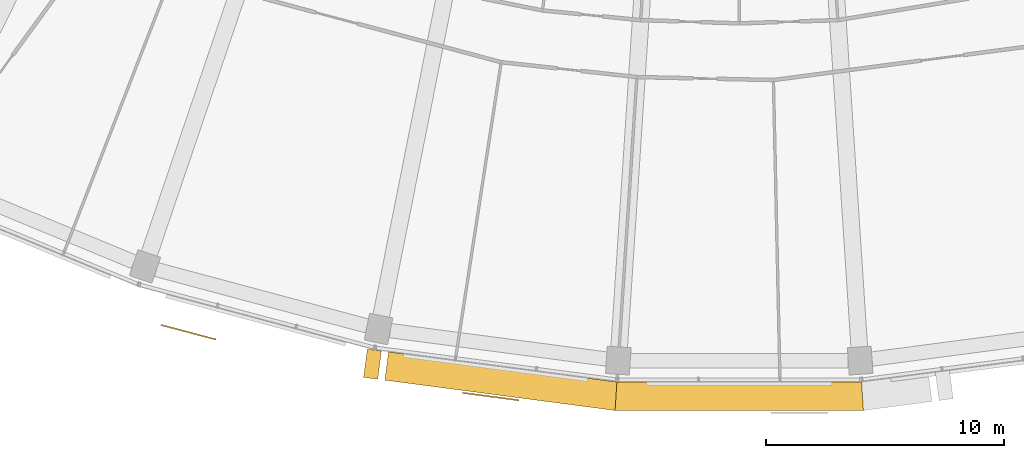
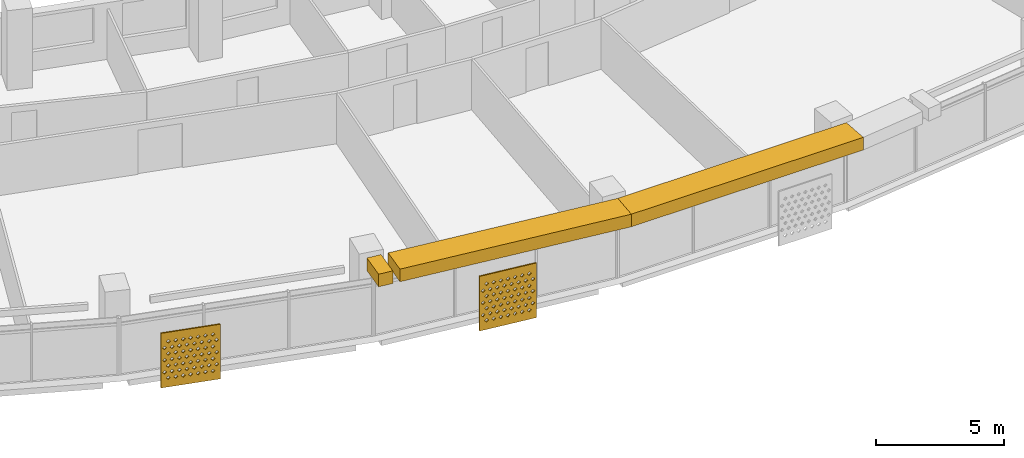
# One storey, part 25 of 29: 5 shading devices.
"""IFC4 building model written with IfcOpenShell, lengths in metres."""

from ifc_helpers import new_model, si_unit, direction, frame, origin, place, context, subcontext, project, spatial, polyline, outline, extrude, material, material_profile, profile_set, type_object, element, save


model = new_model("IFC4")

# Units and contexts
model_context = context("Model", 3, precision=1e-05, world=origin(), true_north=direction((0.0, 1.0)))
body_context = subcontext(model_context, "Body", "Model", "MODEL_VIEW")
ifc_project = project(units=[si_unit("LENGTHUNIT", "METRE"), si_unit("AREAUNIT", "SQUARE_METRE"), si_unit("VOLUMEUNIT", "CUBIC_METRE"), si_unit("PLANEANGLEUNIT", "RADIAN"), si_unit("MASSUNIT", "GRAM", prefix="KILO")], contexts=[model_context])

# Site, building, storey
site_placement = place(None, origin())
site = spatial("IfcSite", under=ifc_project, at=site_placement, CompositionType="ELEMENT")
building_placement = place(site_placement, origin())
building = spatial("IfcBuilding", under=site, at=building_placement, Name="Qamariyya Broadcast Tower", CompositionType="ELEMENT")
storey_placement = place(building_placement, frame((0.0, 0.0, 207.5)))
storey = spatial("IfcBuildingStorey", under=building, at=storey_placement, Name="L49", CompositionType="ELEMENT", Elevation=207.5)

# Shading devices
ifc_material_1 = material(Name="Steel S355 powder coated deep red", Category="steel")
shading_device_type_1 = type_object("IfcShadingDeviceType", Name="Deep red frame, powder coated steel box section", PredefinedType="USERDEFINED", material=ifc_material_1)
shading_device_1_placement = place(storey_placement, frame((0.0, 0.0, 3.199951171875)))
element("IfcShadingDevice", 1, at=shading_device_1_placement, inside=storey, type_object=shading_device_type_1, Name="e-frm-B4-F2-posta-L49", ObjectType="FRAME", PredefinedType="USERDEFINED", context=body_context, shape_type="SweptSolid", body=[
    extrude(outline(polyline([(-15.641357421875, -77.099609375), (-15.7978515625, -78.289306640625), (-15.203125, -78.36767578125), (-15.04638671875, -77.177978515625), (-15.641357421875, -77.099609375)])), origin(), (0.0, 0.0, 1.0), 0.60009765625),
])
shading_device_2_placement = place(storey_placement, frame((0.0, 0.0, 3.199951171875)))
element("IfcShadingDevice", 2, at=shading_device_2_placement, inside=storey, type_object=shading_device_type_1, Name="e-frm-B4-F2-bot0", ObjectType="FRAME", PredefinedType="USERDEFINED", context=body_context, shape_type="SweptSolid", body=[
    extrude(outline(polyline([(-14.7490234375, -77.217041015625), (-14.905517578125, -78.40673828125), (-5.22265625, -79.681640625), (-5.14404296875, -78.481689453125), (-14.7490234375, -77.217041015625)])), origin(), (0.0, 0.0, 1.0), 0.60009765625),
])
shading_device_3_placement = place(storey_placement, frame((0.0, 0.0, 3.199951171875)))
element("IfcShadingDevice", 3, at=shading_device_3_placement, inside=storey, type_object=shading_device_type_1, Name="e-frm-B4-F2-bot1", ObjectType="FRAME", PredefinedType="USERDEFINED", context=body_context, shape_type="SweptSolid", body=[
    extrude(outline(polyline([(-5.14404296875, -78.481689453125), (-5.22265625, -79.681640625), (5.22265625, -79.681640625), (5.14404296875, -78.481689453125), (-5.14404296875, -78.481689453125)])), origin(), (0.0, 0.0, 1.0), 0.60009765625),
])
ifc_material_2 = material(Name="Perforated glazed terracotta", Category="masonry")
ifc_material_profile = material_profile(ifc_material_2, outline(polyline([(-1.199951171875, -1.300048828125), (1.199951171875, -1.300048828125), (1.199951171875, 1.300048828125), (-1.199951171875, 1.300048828125), (-1.199951171875, -1.300048828125)]), holes=[polyline([(-0.81494140625, -0.86669921875), (-0.89990234375, -0.78173828125), (-0.985107421875, -0.86669921875), (-0.89990234375, -0.95166015625), (-0.81494140625, -0.86669921875)]), polyline([(-0.514892578125, -0.86669921875), (-0.60009765625, -0.78173828125), (-0.68505859375, -0.86669921875), (-0.60009765625, -0.95166015625), (-0.514892578125, -0.86669921875)]), polyline([(-0.215087890625, -0.86669921875), (-0.300048828125, -0.78173828125), (-0.385009765625, -0.86669921875), (-0.300048828125, -0.95166015625), (-0.215087890625, -0.86669921875)]), polyline([(0.0849609375, -0.86669921875), (0.0, -0.78173828125), (-0.0849609375, -0.86669921875), (0.0, -0.95166015625), (0.0849609375, -0.86669921875)]), polyline([(0.385009765625, -0.86669921875), (0.300048828125, -0.78173828125), (0.215087890625, -0.86669921875), (0.300048828125, -0.95166015625), (0.385009765625, -0.86669921875)]), polyline([(0.68505859375, -0.86669921875), (0.60009765625, -0.78173828125), (0.514892578125, -0.86669921875), (0.60009765625, -0.95166015625), (0.68505859375, -0.86669921875)]), polyline([(0.985107421875, -0.86669921875), (0.89990234375, -0.78173828125), (0.81494140625, -0.86669921875), (0.89990234375, -0.95166015625), (0.985107421875, -0.86669921875)]), polyline([(-0.965087890625, -0.577880859375), (-1.050048828125, -0.49267578125), (-1.135009765625, -0.577880859375), (-1.050048828125, -0.662841796875), (-0.965087890625, -0.577880859375)]), polyline([(-0.6650390625, -0.577880859375), (-0.75, -0.49267578125), (-0.8349609375, -0.577880859375), (-0.75, -0.662841796875), (-0.6650390625, -0.577880859375)]), polyline([(-0.364990234375, -0.577880859375), (-0.449951171875, -0.49267578125), (-0.534912109375, -0.577880859375), (-0.449951171875, -0.662841796875), (-0.364990234375, -0.577880859375)]), polyline([(-0.06494140625, -0.577880859375), (-0.14990234375, -0.49267578125), (-0.235107421875, -0.577880859375), (-0.14990234375, -0.662841796875), (-0.06494140625, -0.577880859375)]), polyline([(0.235107421875, -0.577880859375), (0.14990234375, -0.49267578125), (0.06494140625, -0.577880859375), (0.14990234375, -0.662841796875), (0.235107421875, -0.577880859375)]), polyline([(0.534912109375, -0.577880859375), (0.449951171875, -0.49267578125), (0.364990234375, -0.577880859375), (0.449951171875, -0.662841796875), (0.534912109375, -0.577880859375)]), polyline([(0.8349609375, -0.577880859375), (0.75, -0.49267578125), (0.6650390625, -0.577880859375), (0.75, -0.662841796875), (0.8349609375, -0.577880859375)]), polyline([(1.135009765625, -0.577880859375), (1.050048828125, -0.49267578125), (0.965087890625, -0.577880859375), (1.050048828125, -0.662841796875), (1.135009765625, -0.577880859375)]), polyline([(-0.81494140625, -0.288818359375), (-0.89990234375, -0.203857421875), (-0.985107421875, -0.288818359375), (-0.89990234375, -0.373779296875), (-0.81494140625, -0.288818359375)]), polyline([(-0.514892578125, -0.288818359375), (-0.60009765625, -0.203857421875), (-0.68505859375, -0.288818359375), (-0.60009765625, -0.373779296875), (-0.514892578125, -0.288818359375)]), polyline([(-0.215087890625, -0.288818359375), (-0.300048828125, -0.203857421875), (-0.385009765625, -0.288818359375), (-0.300048828125, -0.373779296875), (-0.215087890625, -0.288818359375)]), polyline([(0.0849609375, -0.288818359375), (0.0, -0.203857421875), (-0.0849609375, -0.288818359375), (0.0, -0.373779296875), (0.0849609375, -0.288818359375)]), polyline([(0.385009765625, -0.288818359375), (0.300048828125, -0.203857421875), (0.215087890625, -0.288818359375), (0.300048828125, -0.373779296875), (0.385009765625, -0.288818359375)]), polyline([(0.68505859375, -0.288818359375), (0.60009765625, -0.203857421875), (0.514892578125, -0.288818359375), (0.60009765625, -0.373779296875), (0.68505859375, -0.288818359375)]), polyline([(0.985107421875, -0.288818359375), (0.89990234375, -0.203857421875), (0.81494140625, -0.288818359375), (0.89990234375, -0.373779296875), (0.985107421875, -0.288818359375)]), polyline([(-0.965087890625, 0.0), (-1.050048828125, 0.0849609375), (-1.135009765625, 0.0), (-1.050048828125, -0.0849609375), (-0.965087890625, 0.0)]), polyline([(-0.6650390625, 0.0), (-0.75, 0.0849609375), (-0.8349609375, 0.0), (-0.75, -0.0849609375), (-0.6650390625, 0.0)]), polyline([(-0.364990234375, 0.0), (-0.449951171875, 0.0849609375), (-0.534912109375, 0.0), (-0.449951171875, -0.0849609375), (-0.364990234375, 0.0)]), polyline([(-0.06494140625, 0.0), (-0.14990234375, 0.0849609375), (-0.235107421875, 0.0), (-0.14990234375, -0.0849609375), (-0.06494140625, 0.0)]), polyline([(0.235107421875, 0.0), (0.14990234375, 0.0849609375), (0.06494140625, 0.0), (0.14990234375, -0.0849609375), (0.235107421875, 0.0)]), polyline([(0.534912109375, 0.0), (0.449951171875, 0.0849609375), (0.364990234375, 0.0), (0.449951171875, -0.0849609375), (0.534912109375, 0.0)]), polyline([(0.8349609375, 0.0), (0.75, 0.0849609375), (0.6650390625, 0.0), (0.75, -0.0849609375), (0.8349609375, 0.0)]), polyline([(1.135009765625, 0.0), (1.050048828125, 0.0849609375), (0.965087890625, 0.0), (1.050048828125, -0.0849609375), (1.135009765625, 0.0)]), polyline([(-0.81494140625, 0.288818359375), (-0.89990234375, 0.373779296875), (-0.985107421875, 0.288818359375), (-0.89990234375, 0.203857421875), (-0.81494140625, 0.288818359375)]), polyline([(-0.514892578125, 0.288818359375), (-0.60009765625, 0.373779296875), (-0.68505859375, 0.288818359375), (-0.60009765625, 0.203857421875), (-0.514892578125, 0.288818359375)]), polyline([(-0.215087890625, 0.288818359375), (-0.300048828125, 0.373779296875), (-0.385009765625, 0.288818359375), (-0.300048828125, 0.203857421875), (-0.215087890625, 0.288818359375)]), polyline([(0.0849609375, 0.288818359375), (0.0, 0.373779296875), (-0.0849609375, 0.288818359375), (0.0, 0.203857421875), (0.0849609375, 0.288818359375)]), polyline([(0.385009765625, 0.288818359375), (0.300048828125, 0.373779296875), (0.215087890625, 0.288818359375), (0.300048828125, 0.203857421875), (0.385009765625, 0.288818359375)]), polyline([(0.68505859375, 0.288818359375), (0.60009765625, 0.373779296875), (0.514892578125, 0.288818359375), (0.60009765625, 0.203857421875), (0.68505859375, 0.288818359375)]), polyline([(0.985107421875, 0.288818359375), (0.89990234375, 0.373779296875), (0.81494140625, 0.288818359375), (0.89990234375, 0.203857421875), (0.985107421875, 0.288818359375)]), polyline([(-0.965087890625, 0.577880859375), (-1.050048828125, 0.662841796875), (-1.135009765625, 0.577880859375), (-1.050048828125, 0.49267578125), (-0.965087890625, 0.577880859375)]), polyline([(-0.6650390625, 0.577880859375), (-0.75, 0.662841796875), (-0.8349609375, 0.577880859375), (-0.75, 0.49267578125), (-0.6650390625, 0.577880859375)]), polyline([(-0.364990234375, 0.577880859375), (-0.449951171875, 0.662841796875), (-0.534912109375, 0.577880859375), (-0.449951171875, 0.49267578125), (-0.364990234375, 0.577880859375)]), polyline([(-0.06494140625, 0.577880859375), (-0.14990234375, 0.662841796875), (-0.235107421875, 0.577880859375), (-0.14990234375, 0.49267578125), (-0.06494140625, 0.577880859375)]), polyline([(0.235107421875, 0.577880859375), (0.14990234375, 0.662841796875), (0.06494140625, 0.577880859375), (0.14990234375, 0.49267578125), (0.235107421875, 0.577880859375)]), polyline([(0.534912109375, 0.577880859375), (0.449951171875, 0.662841796875), (0.364990234375, 0.577880859375), (0.449951171875, 0.49267578125), (0.534912109375, 0.577880859375)]), polyline([(0.8349609375, 0.577880859375), (0.75, 0.662841796875), (0.6650390625, 0.577880859375), (0.75, 0.49267578125), (0.8349609375, 0.577880859375)]), polyline([(1.135009765625, 0.577880859375), (1.050048828125, 0.662841796875), (0.965087890625, 0.577880859375), (1.050048828125, 0.49267578125), (1.135009765625, 0.577880859375)]), polyline([(-0.81494140625, 0.86669921875), (-0.89990234375, 0.95166015625), (-0.985107421875, 0.86669921875), (-0.89990234375, 0.78173828125), (-0.81494140625, 0.86669921875)]), polyline([(-0.514892578125, 0.86669921875), (-0.60009765625, 0.95166015625), (-0.68505859375, 0.86669921875), (-0.60009765625, 0.78173828125), (-0.514892578125, 0.86669921875)]), polyline([(-0.215087890625, 0.86669921875), (-0.300048828125, 0.95166015625), (-0.385009765625, 0.86669921875), (-0.300048828125, 0.78173828125), (-0.215087890625, 0.86669921875)]), polyline([(0.0849609375, 0.86669921875), (0.0, 0.95166015625), (-0.0849609375, 0.86669921875), (0.0, 0.78173828125), (0.0849609375, 0.86669921875)]), polyline([(0.385009765625, 0.86669921875), (0.300048828125, 0.95166015625), (0.215087890625, 0.86669921875), (0.300048828125, 0.78173828125), (0.385009765625, 0.86669921875)]), polyline([(0.68505859375, 0.86669921875), (0.60009765625, 0.95166015625), (0.514892578125, 0.86669921875), (0.60009765625, 0.78173828125), (0.68505859375, 0.86669921875)]), polyline([(0.985107421875, 0.86669921875), (0.89990234375, 0.95166015625), (0.81494140625, 0.86669921875), (0.89990234375, 0.78173828125), (0.985107421875, 0.86669921875)])]))
ifc_profile_set = profile_set([ifc_material_profile], Name="Perforated glazed terracotta")
shading_device_type_2 = type_object("IfcShadingDeviceType", Name="Perforated terracotta screen 2400 x 2600", PredefinedType="USERDEFINED", material=ifc_profile_set)
shading_device_4_placement = place(storey_placement, frame((-23.160400390625, -76.359130859375, 1.35009765625), z_axis=(-0.256901156343, -0.966437683387, 0.0), x_axis=(0.966437683387, -0.256901156343, 0.0)))
element("IfcShadingDevice", 4, at=shading_device_4_placement, inside=storey, type_object=shading_device_type_2, Name="e-scr-L49-06-0", ObjectType="SCREEN", PredefinedType="USERDEFINED", context=body_context, shape_type="SweptSolid", body=[
    extrude(outline(polyline([(-1.199951171875, -1.300048828125), (1.199951171875, -1.300048828125), (1.199951171875, 1.300048828125), (-1.199951171875, 1.300048828125), (-1.199951171875, -1.300048828125)]), holes=[polyline([(-0.81494140625, -0.86669921875), (-0.89990234375, -0.78173828125), (-0.985107421875, -0.86669921875), (-0.89990234375, -0.95166015625), (-0.81494140625, -0.86669921875)]), polyline([(-0.514892578125, -0.86669921875), (-0.60009765625, -0.78173828125), (-0.68505859375, -0.86669921875), (-0.60009765625, -0.95166015625), (-0.514892578125, -0.86669921875)]), polyline([(-0.215087890625, -0.86669921875), (-0.300048828125, -0.78173828125), (-0.385009765625, -0.86669921875), (-0.300048828125, -0.95166015625), (-0.215087890625, -0.86669921875)]), polyline([(0.0849609375, -0.86669921875), (0.0, -0.78173828125), (-0.0849609375, -0.86669921875), (0.0, -0.95166015625), (0.0849609375, -0.86669921875)]), polyline([(0.385009765625, -0.86669921875), (0.300048828125, -0.78173828125), (0.215087890625, -0.86669921875), (0.300048828125, -0.95166015625), (0.385009765625, -0.86669921875)]), polyline([(0.68505859375, -0.86669921875), (0.60009765625, -0.78173828125), (0.514892578125, -0.86669921875), (0.60009765625, -0.95166015625), (0.68505859375, -0.86669921875)]), polyline([(0.985107421875, -0.86669921875), (0.89990234375, -0.78173828125), (0.81494140625, -0.86669921875), (0.89990234375, -0.95166015625), (0.985107421875, -0.86669921875)]), polyline([(-0.965087890625, -0.577880859375), (-1.050048828125, -0.49267578125), (-1.135009765625, -0.577880859375), (-1.050048828125, -0.662841796875), (-0.965087890625, -0.577880859375)]), polyline([(-0.6650390625, -0.577880859375), (-0.75, -0.49267578125), (-0.8349609375, -0.577880859375), (-0.75, -0.662841796875), (-0.6650390625, -0.577880859375)]), polyline([(-0.364990234375, -0.577880859375), (-0.449951171875, -0.49267578125), (-0.534912109375, -0.577880859375), (-0.449951171875, -0.662841796875), (-0.364990234375, -0.577880859375)]), polyline([(-0.06494140625, -0.577880859375), (-0.14990234375, -0.49267578125), (-0.235107421875, -0.577880859375), (-0.14990234375, -0.662841796875), (-0.06494140625, -0.577880859375)]), polyline([(0.235107421875, -0.577880859375), (0.14990234375, -0.49267578125), (0.06494140625, -0.577880859375), (0.14990234375, -0.662841796875), (0.235107421875, -0.577880859375)]), polyline([(0.534912109375, -0.577880859375), (0.449951171875, -0.49267578125), (0.364990234375, -0.577880859375), (0.449951171875, -0.662841796875), (0.534912109375, -0.577880859375)]), polyline([(0.8349609375, -0.577880859375), (0.75, -0.49267578125), (0.6650390625, -0.577880859375), (0.75, -0.662841796875), (0.8349609375, -0.577880859375)]), polyline([(1.135009765625, -0.577880859375), (1.050048828125, -0.49267578125), (0.965087890625, -0.577880859375), (1.050048828125, -0.662841796875), (1.135009765625, -0.577880859375)]), polyline([(-0.81494140625, -0.288818359375), (-0.89990234375, -0.203857421875), (-0.985107421875, -0.288818359375), (-0.89990234375, -0.373779296875), (-0.81494140625, -0.288818359375)]), polyline([(-0.514892578125, -0.288818359375), (-0.60009765625, -0.203857421875), (-0.68505859375, -0.288818359375), (-0.60009765625, -0.373779296875), (-0.514892578125, -0.288818359375)]), polyline([(-0.215087890625, -0.288818359375), (-0.300048828125, -0.203857421875), (-0.385009765625, -0.288818359375), (-0.300048828125, -0.373779296875), (-0.215087890625, -0.288818359375)]), polyline([(0.0849609375, -0.288818359375), (0.0, -0.203857421875), (-0.0849609375, -0.288818359375), (0.0, -0.373779296875), (0.0849609375, -0.288818359375)]), polyline([(0.385009765625, -0.288818359375), (0.300048828125, -0.203857421875), (0.215087890625, -0.288818359375), (0.300048828125, -0.373779296875), (0.385009765625, -0.288818359375)]), polyline([(0.68505859375, -0.288818359375), (0.60009765625, -0.203857421875), (0.514892578125, -0.288818359375), (0.60009765625, -0.373779296875), (0.68505859375, -0.288818359375)]), polyline([(0.985107421875, -0.288818359375), (0.89990234375, -0.203857421875), (0.81494140625, -0.288818359375), (0.89990234375, -0.373779296875), (0.985107421875, -0.288818359375)]), polyline([(-0.965087890625, 0.0), (-1.050048828125, 0.0849609375), (-1.135009765625, 0.0), (-1.050048828125, -0.0849609375), (-0.965087890625, 0.0)]), polyline([(-0.6650390625, 0.0), (-0.75, 0.0849609375), (-0.8349609375, 0.0), (-0.75, -0.0849609375), (-0.6650390625, 0.0)]), polyline([(-0.364990234375, 0.0), (-0.449951171875, 0.0849609375), (-0.534912109375, 0.0), (-0.449951171875, -0.0849609375), (-0.364990234375, 0.0)]), polyline([(-0.06494140625, 0.0), (-0.14990234375, 0.0849609375), (-0.235107421875, 0.0), (-0.14990234375, -0.0849609375), (-0.06494140625, 0.0)]), polyline([(0.235107421875, 0.0), (0.14990234375, 0.0849609375), (0.06494140625, 0.0), (0.14990234375, -0.0849609375), (0.235107421875, 0.0)]), polyline([(0.534912109375, 0.0), (0.449951171875, 0.0849609375), (0.364990234375, 0.0), (0.449951171875, -0.0849609375), (0.534912109375, 0.0)]), polyline([(0.8349609375, 0.0), (0.75, 0.0849609375), (0.6650390625, 0.0), (0.75, -0.0849609375), (0.8349609375, 0.0)]), polyline([(1.135009765625, 0.0), (1.050048828125, 0.0849609375), (0.965087890625, 0.0), (1.050048828125, -0.0849609375), (1.135009765625, 0.0)]), polyline([(-0.81494140625, 0.288818359375), (-0.89990234375, 0.373779296875), (-0.985107421875, 0.288818359375), (-0.89990234375, 0.203857421875), (-0.81494140625, 0.288818359375)]), polyline([(-0.514892578125, 0.288818359375), (-0.60009765625, 0.373779296875), (-0.68505859375, 0.288818359375), (-0.60009765625, 0.203857421875), (-0.514892578125, 0.288818359375)]), polyline([(-0.215087890625, 0.288818359375), (-0.300048828125, 0.373779296875), (-0.385009765625, 0.288818359375), (-0.300048828125, 0.203857421875), (-0.215087890625, 0.288818359375)]), polyline([(0.0849609375, 0.288818359375), (0.0, 0.373779296875), (-0.0849609375, 0.288818359375), (0.0, 0.203857421875), (0.0849609375, 0.288818359375)]), polyline([(0.385009765625, 0.288818359375), (0.300048828125, 0.373779296875), (0.215087890625, 0.288818359375), (0.300048828125, 0.203857421875), (0.385009765625, 0.288818359375)]), polyline([(0.68505859375, 0.288818359375), (0.60009765625, 0.373779296875), (0.514892578125, 0.288818359375), (0.60009765625, 0.203857421875), (0.68505859375, 0.288818359375)]), polyline([(0.985107421875, 0.288818359375), (0.89990234375, 0.373779296875), (0.81494140625, 0.288818359375), (0.89990234375, 0.203857421875), (0.985107421875, 0.288818359375)]), polyline([(-0.965087890625, 0.577880859375), (-1.050048828125, 0.662841796875), (-1.135009765625, 0.577880859375), (-1.050048828125, 0.49267578125), (-0.965087890625, 0.577880859375)]), polyline([(-0.6650390625, 0.577880859375), (-0.75, 0.662841796875), (-0.8349609375, 0.577880859375), (-0.75, 0.49267578125), (-0.6650390625, 0.577880859375)]), polyline([(-0.364990234375, 0.577880859375), (-0.449951171875, 0.662841796875), (-0.534912109375, 0.577880859375), (-0.449951171875, 0.49267578125), (-0.364990234375, 0.577880859375)]), polyline([(-0.06494140625, 0.577880859375), (-0.14990234375, 0.662841796875), (-0.235107421875, 0.577880859375), (-0.14990234375, 0.49267578125), (-0.06494140625, 0.577880859375)]), polyline([(0.235107421875, 0.577880859375), (0.14990234375, 0.662841796875), (0.06494140625, 0.577880859375), (0.14990234375, 0.49267578125), (0.235107421875, 0.577880859375)]), polyline([(0.534912109375, 0.577880859375), (0.449951171875, 0.662841796875), (0.364990234375, 0.577880859375), (0.449951171875, 0.49267578125), (0.534912109375, 0.577880859375)]), polyline([(0.8349609375, 0.577880859375), (0.75, 0.662841796875), (0.6650390625, 0.577880859375), (0.75, 0.49267578125), (0.8349609375, 0.577880859375)]), polyline([(1.135009765625, 0.577880859375), (1.050048828125, 0.662841796875), (0.965087890625, 0.577880859375), (1.050048828125, 0.49267578125), (1.135009765625, 0.577880859375)]), polyline([(-0.81494140625, 0.86669921875), (-0.89990234375, 0.95166015625), (-0.985107421875, 0.86669921875), (-0.89990234375, 0.78173828125), (-0.81494140625, 0.86669921875)]), polyline([(-0.514892578125, 0.86669921875), (-0.60009765625, 0.95166015625), (-0.68505859375, 0.86669921875), (-0.60009765625, 0.78173828125), (-0.514892578125, 0.86669921875)]), polyline([(-0.215087890625, 0.86669921875), (-0.300048828125, 0.95166015625), (-0.385009765625, 0.86669921875), (-0.300048828125, 0.78173828125), (-0.215087890625, 0.86669921875)]), polyline([(0.0849609375, 0.86669921875), (0.0, 0.95166015625), (-0.0849609375, 0.86669921875), (0.0, 0.78173828125), (0.0849609375, 0.86669921875)]), polyline([(0.385009765625, 0.86669921875), (0.300048828125, 0.95166015625), (0.215087890625, 0.86669921875), (0.300048828125, 0.78173828125), (0.385009765625, 0.86669921875)]), polyline([(0.68505859375, 0.86669921875), (0.60009765625, 0.95166015625), (0.514892578125, 0.86669921875), (0.60009765625, 0.78173828125), (0.68505859375, 0.86669921875)]), polyline([(0.985107421875, 0.86669921875), (0.89990234375, 0.95166015625), (0.81494140625, 0.86669921875), (0.89990234375, 0.78173828125), (0.985107421875, 0.86669921875)])]), origin(), (0.0, 0.0, 1.0), 0.059814453125),
])
shading_device_5_placement = place(storey_placement, frame((-10.4453125, -79.064697265625, 1.35009765625), z_axis=(-0.13056005306, -0.991440402921, 0.0), x_axis=(0.991440402921, -0.13056005306, 0.0)))
element("IfcShadingDevice", 5, at=shading_device_5_placement, inside=storey, type_object=shading_device_type_2, Name="e-scr-L49-07-1", ObjectType="SCREEN", PredefinedType="USERDEFINED", context=body_context, shape_type="SweptSolid", body=[
    extrude(outline(polyline([(-1.199951171875, -1.300048828125), (1.199951171875, -1.300048828125), (1.199951171875, 1.300048828125), (-1.199951171875, 1.300048828125), (-1.199951171875, -1.300048828125)]), holes=[polyline([(-0.81494140625, -0.86669921875), (-0.89990234375, -0.78173828125), (-0.985107421875, -0.86669921875), (-0.89990234375, -0.95166015625), (-0.81494140625, -0.86669921875)]), polyline([(-0.514892578125, -0.86669921875), (-0.60009765625, -0.78173828125), (-0.68505859375, -0.86669921875), (-0.60009765625, -0.95166015625), (-0.514892578125, -0.86669921875)]), polyline([(-0.215087890625, -0.86669921875), (-0.300048828125, -0.78173828125), (-0.385009765625, -0.86669921875), (-0.300048828125, -0.95166015625), (-0.215087890625, -0.86669921875)]), polyline([(0.0849609375, -0.86669921875), (0.0, -0.78173828125), (-0.0849609375, -0.86669921875), (0.0, -0.95166015625), (0.0849609375, -0.86669921875)]), polyline([(0.385009765625, -0.86669921875), (0.300048828125, -0.78173828125), (0.215087890625, -0.86669921875), (0.300048828125, -0.95166015625), (0.385009765625, -0.86669921875)]), polyline([(0.68505859375, -0.86669921875), (0.60009765625, -0.78173828125), (0.514892578125, -0.86669921875), (0.60009765625, -0.95166015625), (0.68505859375, -0.86669921875)]), polyline([(0.985107421875, -0.86669921875), (0.89990234375, -0.78173828125), (0.81494140625, -0.86669921875), (0.89990234375, -0.95166015625), (0.985107421875, -0.86669921875)]), polyline([(-0.965087890625, -0.577880859375), (-1.050048828125, -0.49267578125), (-1.135009765625, -0.577880859375), (-1.050048828125, -0.662841796875), (-0.965087890625, -0.577880859375)]), polyline([(-0.6650390625, -0.577880859375), (-0.75, -0.49267578125), (-0.8349609375, -0.577880859375), (-0.75, -0.662841796875), (-0.6650390625, -0.577880859375)]), polyline([(-0.364990234375, -0.577880859375), (-0.449951171875, -0.49267578125), (-0.534912109375, -0.577880859375), (-0.449951171875, -0.662841796875), (-0.364990234375, -0.577880859375)]), polyline([(-0.06494140625, -0.577880859375), (-0.14990234375, -0.49267578125), (-0.235107421875, -0.577880859375), (-0.14990234375, -0.662841796875), (-0.06494140625, -0.577880859375)]), polyline([(0.235107421875, -0.577880859375), (0.14990234375, -0.49267578125), (0.06494140625, -0.577880859375), (0.14990234375, -0.662841796875), (0.235107421875, -0.577880859375)]), polyline([(0.534912109375, -0.577880859375), (0.449951171875, -0.49267578125), (0.364990234375, -0.577880859375), (0.449951171875, -0.662841796875), (0.534912109375, -0.577880859375)]), polyline([(0.8349609375, -0.577880859375), (0.75, -0.49267578125), (0.6650390625, -0.577880859375), (0.75, -0.662841796875), (0.8349609375, -0.577880859375)]), polyline([(1.135009765625, -0.577880859375), (1.050048828125, -0.49267578125), (0.965087890625, -0.577880859375), (1.050048828125, -0.662841796875), (1.135009765625, -0.577880859375)]), polyline([(-0.81494140625, -0.288818359375), (-0.89990234375, -0.203857421875), (-0.985107421875, -0.288818359375), (-0.89990234375, -0.373779296875), (-0.81494140625, -0.288818359375)]), polyline([(-0.514892578125, -0.288818359375), (-0.60009765625, -0.203857421875), (-0.68505859375, -0.288818359375), (-0.60009765625, -0.373779296875), (-0.514892578125, -0.288818359375)]), polyline([(-0.215087890625, -0.288818359375), (-0.300048828125, -0.203857421875), (-0.385009765625, -0.288818359375), (-0.300048828125, -0.373779296875), (-0.215087890625, -0.288818359375)]), polyline([(0.0849609375, -0.288818359375), (0.0, -0.203857421875), (-0.0849609375, -0.288818359375), (0.0, -0.373779296875), (0.0849609375, -0.288818359375)]), polyline([(0.385009765625, -0.288818359375), (0.300048828125, -0.203857421875), (0.215087890625, -0.288818359375), (0.300048828125, -0.373779296875), (0.385009765625, -0.288818359375)]), polyline([(0.68505859375, -0.288818359375), (0.60009765625, -0.203857421875), (0.514892578125, -0.288818359375), (0.60009765625, -0.373779296875), (0.68505859375, -0.288818359375)]), polyline([(0.985107421875, -0.288818359375), (0.89990234375, -0.203857421875), (0.81494140625, -0.288818359375), (0.89990234375, -0.373779296875), (0.985107421875, -0.288818359375)]), polyline([(-0.965087890625, 0.0), (-1.050048828125, 0.0849609375), (-1.135009765625, 0.0), (-1.050048828125, -0.0849609375), (-0.965087890625, 0.0)]), polyline([(-0.6650390625, 0.0), (-0.75, 0.0849609375), (-0.8349609375, 0.0), (-0.75, -0.0849609375), (-0.6650390625, 0.0)]), polyline([(-0.364990234375, 0.0), (-0.449951171875, 0.0849609375), (-0.534912109375, 0.0), (-0.449951171875, -0.0849609375), (-0.364990234375, 0.0)]), polyline([(-0.06494140625, 0.0), (-0.14990234375, 0.0849609375), (-0.235107421875, 0.0), (-0.14990234375, -0.0849609375), (-0.06494140625, 0.0)]), polyline([(0.235107421875, 0.0), (0.14990234375, 0.0849609375), (0.06494140625, 0.0), (0.14990234375, -0.0849609375), (0.235107421875, 0.0)]), polyline([(0.534912109375, 0.0), (0.449951171875, 0.0849609375), (0.364990234375, 0.0), (0.449951171875, -0.0849609375), (0.534912109375, 0.0)]), polyline([(0.8349609375, 0.0), (0.75, 0.0849609375), (0.6650390625, 0.0), (0.75, -0.0849609375), (0.8349609375, 0.0)]), polyline([(1.135009765625, 0.0), (1.050048828125, 0.0849609375), (0.965087890625, 0.0), (1.050048828125, -0.0849609375), (1.135009765625, 0.0)]), polyline([(-0.81494140625, 0.288818359375), (-0.89990234375, 0.373779296875), (-0.985107421875, 0.288818359375), (-0.89990234375, 0.203857421875), (-0.81494140625, 0.288818359375)]), polyline([(-0.514892578125, 0.288818359375), (-0.60009765625, 0.373779296875), (-0.68505859375, 0.288818359375), (-0.60009765625, 0.203857421875), (-0.514892578125, 0.288818359375)]), polyline([(-0.215087890625, 0.288818359375), (-0.300048828125, 0.373779296875), (-0.385009765625, 0.288818359375), (-0.300048828125, 0.203857421875), (-0.215087890625, 0.288818359375)]), polyline([(0.0849609375, 0.288818359375), (0.0, 0.373779296875), (-0.0849609375, 0.288818359375), (0.0, 0.203857421875), (0.0849609375, 0.288818359375)]), polyline([(0.385009765625, 0.288818359375), (0.300048828125, 0.373779296875), (0.215087890625, 0.288818359375), (0.300048828125, 0.203857421875), (0.385009765625, 0.288818359375)]), polyline([(0.68505859375, 0.288818359375), (0.60009765625, 0.373779296875), (0.514892578125, 0.288818359375), (0.60009765625, 0.203857421875), (0.68505859375, 0.288818359375)]), polyline([(0.985107421875, 0.288818359375), (0.89990234375, 0.373779296875), (0.81494140625, 0.288818359375), (0.89990234375, 0.203857421875), (0.985107421875, 0.288818359375)]), polyline([(-0.965087890625, 0.577880859375), (-1.050048828125, 0.662841796875), (-1.135009765625, 0.577880859375), (-1.050048828125, 0.49267578125), (-0.965087890625, 0.577880859375)]), polyline([(-0.6650390625, 0.577880859375), (-0.75, 0.662841796875), (-0.8349609375, 0.577880859375), (-0.75, 0.49267578125), (-0.6650390625, 0.577880859375)]), polyline([(-0.364990234375, 0.577880859375), (-0.449951171875, 0.662841796875), (-0.534912109375, 0.577880859375), (-0.449951171875, 0.49267578125), (-0.364990234375, 0.577880859375)]), polyline([(-0.06494140625, 0.577880859375), (-0.14990234375, 0.662841796875), (-0.235107421875, 0.577880859375), (-0.14990234375, 0.49267578125), (-0.06494140625, 0.577880859375)]), polyline([(0.235107421875, 0.577880859375), (0.14990234375, 0.662841796875), (0.06494140625, 0.577880859375), (0.14990234375, 0.49267578125), (0.235107421875, 0.577880859375)]), polyline([(0.534912109375, 0.577880859375), (0.449951171875, 0.662841796875), (0.364990234375, 0.577880859375), (0.449951171875, 0.49267578125), (0.534912109375, 0.577880859375)]), polyline([(0.8349609375, 0.577880859375), (0.75, 0.662841796875), (0.6650390625, 0.577880859375), (0.75, 0.49267578125), (0.8349609375, 0.577880859375)]), polyline([(1.135009765625, 0.577880859375), (1.050048828125, 0.662841796875), (0.965087890625, 0.577880859375), (1.050048828125, 0.49267578125), (1.135009765625, 0.577880859375)]), polyline([(-0.81494140625, 0.86669921875), (-0.89990234375, 0.95166015625), (-0.985107421875, 0.86669921875), (-0.89990234375, 0.78173828125), (-0.81494140625, 0.86669921875)]), polyline([(-0.514892578125, 0.86669921875), (-0.60009765625, 0.95166015625), (-0.68505859375, 0.86669921875), (-0.60009765625, 0.78173828125), (-0.514892578125, 0.86669921875)]), polyline([(-0.215087890625, 0.86669921875), (-0.300048828125, 0.95166015625), (-0.385009765625, 0.86669921875), (-0.300048828125, 0.78173828125), (-0.215087890625, 0.86669921875)]), polyline([(0.0849609375, 0.86669921875), (0.0, 0.95166015625), (-0.0849609375, 0.86669921875), (0.0, 0.78173828125), (0.0849609375, 0.86669921875)]), polyline([(0.385009765625, 0.86669921875), (0.300048828125, 0.95166015625), (0.215087890625, 0.86669921875), (0.300048828125, 0.78173828125), (0.385009765625, 0.86669921875)]), polyline([(0.68505859375, 0.86669921875), (0.60009765625, 0.95166015625), (0.514892578125, 0.86669921875), (0.60009765625, 0.78173828125), (0.68505859375, 0.86669921875)]), polyline([(0.985107421875, 0.86669921875), (0.89990234375, 0.95166015625), (0.81494140625, 0.86669921875), (0.89990234375, 0.78173828125), (0.985107421875, 0.86669921875)])]), origin(), (0.0, 0.0, 1.0), 0.059814453125),
])

save(model, "model.ifc")
